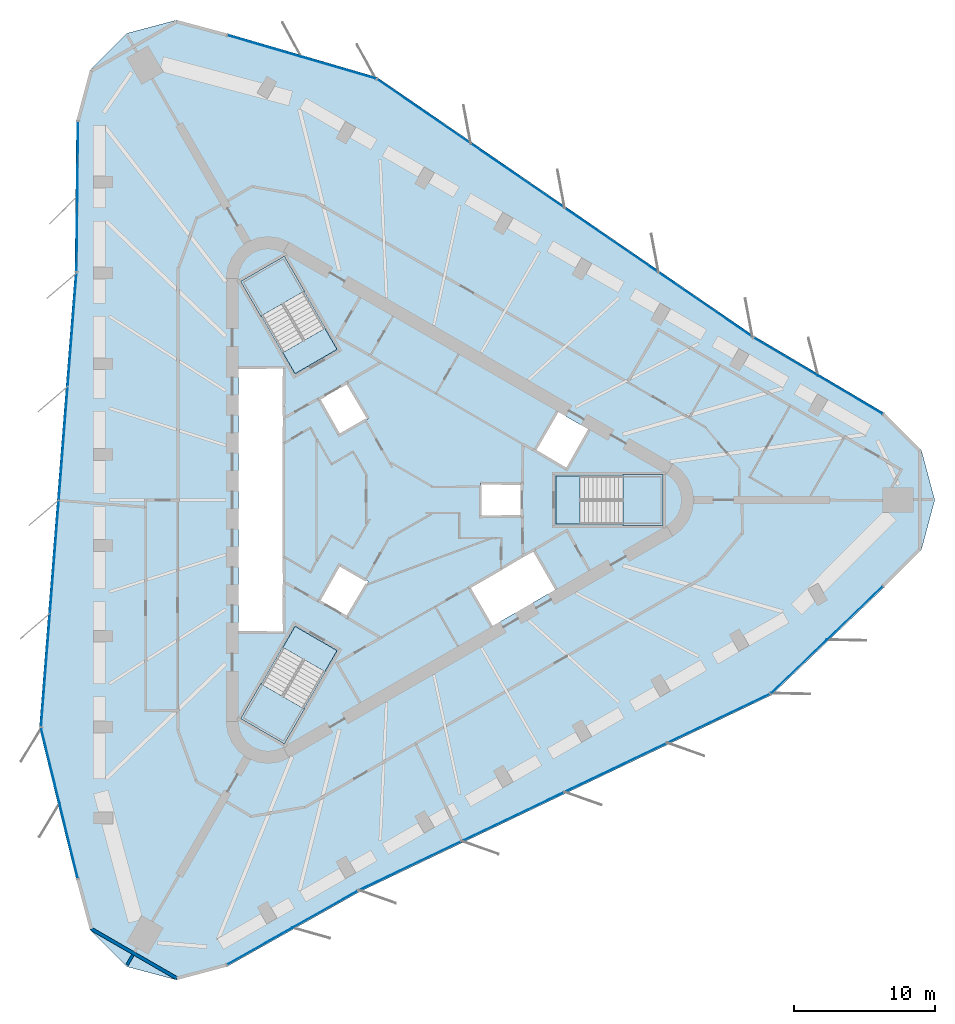
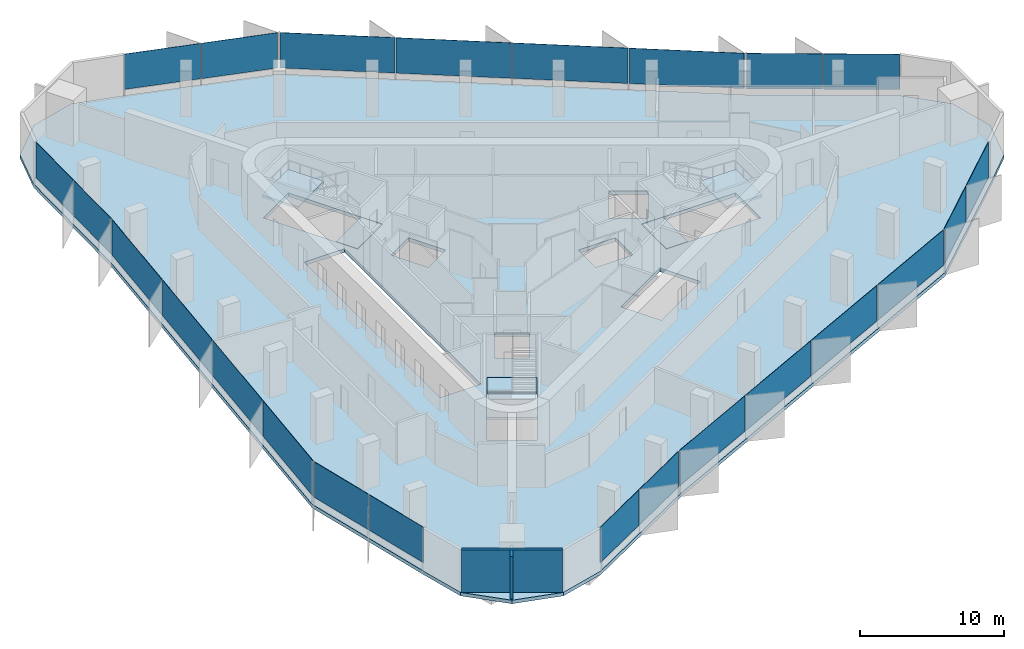
# One storey, part 7 of 14: 24 plates, 7 slabs, 2 walls, 12 elements without a shape of their own.
"""IFC4 building model written with IfcOpenShell, lengths in metres."""

from ifc_helpers import new_model, si_unit, direction, frame, frame_2d, origin, origin_2d, place, context, subcontext, project, spatial, polyline, rectangle, outline, extrude, material, layer, layer_set, type_object, element, aggregate, save


model = new_model("IFC4")

# Units and contexts
model_context = context("Model", 3, precision=1e-05, world=origin(), true_north=direction((0.0, 1.0)))
body_context = subcontext(model_context, "Body", "Model", "MODEL_VIEW")
ifc_project = project(units=[si_unit("LENGTHUNIT", "METRE"), si_unit("AREAUNIT", "SQUARE_METRE"), si_unit("VOLUMEUNIT", "CUBIC_METRE"), si_unit("PLANEANGLEUNIT", "RADIAN"), si_unit("MASSUNIT", "GRAM", prefix="KILO")], contexts=[model_context])

# Site, building, storey
site_placement = place(None, origin())
site = spatial("IfcSite", under=ifc_project, at=site_placement, CompositionType="ELEMENT")
building_placement = place(site_placement, origin())
building = spatial("IfcBuilding", under=site, at=building_placement, Name="Tanit Gate Tower", CompositionType="ELEMENT")
storey_placement = place(building_placement, frame((0.0, 0.0, 298.699951171875)))
storey = spatial("IfcBuildingStorey", under=building, at=storey_placement, Name="L66", CompositionType="ELEMENT", Elevation=298.699951171875)

# Slab
ifc_material_1 = material(Name="Concrete C35/45", Category="concrete")
ifc_layer_1 = layer(ifc_material_1, 0.300048828125)
ifc_layer_set_1 = layer_set([ifc_layer_1], Name="FLOOR SLAB 300 C35/45")
slab_type_1 = type_object("IfcSlabType", Name="FLOOR SLAB 300 C35/45", PredefinedType="FLOOR", material=ifc_layer_set_1)
slab_1_placement = place(storey_placement, frame((0.0, 0.0, -0.300048828125)))
element("IfcSlab", 1, at=slab_1_placement, inside=storey, type_object=slab_type_1, Name="FLOOR SLAB L66", PredefinedType="FLOOR", context=body_context, shape_type="SweptSolid", body=[
    extrude(outline(polyline([(34.760498046875, 6.18359375), (37.3740234375, 3.570068359375), (38.330810546875, 0.0), (37.3740234375, -3.570068359375), (34.760498046875, -6.18359375), (26.7236328125, -13.87255859375), (-2.61328125, -27.887939453125), (-12.025146484375, -33.1953125), (-15.59521484375, -34.152099609375), (-19.165283203125, -33.1953125), (-21.77880859375, -30.581787109375), (-22.735595703125, -27.01171875), (-25.3759765625, -16.20703125), (-22.84521484375, 16.20703125), (-22.735595703125, 27.01171875), (-21.77880859375, 30.581787109375), (-19.165283203125, 33.1953125), (-15.59521484375, 34.152099609375), (-12.025146484375, 33.1953125), (-1.347900390625, 30.07958984375), (25.458251953125, 11.680908203125), (34.760498046875, 6.18359375)]), holes=[polyline([(11.3701171875, 1.72998046875), (18.929931640625, 1.72998046875), (18.929931640625, -1.72998046875), (11.3701171875, -1.72998046875), (11.3701171875, 1.72998046875)]), polyline([(12.158935546875, 2.159912109375), (9.82080078125, 3.510009765625), (11.44580078125, 6.324462890625), (13.783935546875, 4.974609375), (12.158935546875, 2.159912109375)]), polyline([(11.44580078125, -6.324462890625), (6.76904296875, -9.0244140625), (5.14404296875, -6.2099609375), (9.82080078125, -3.510009765625), (11.44580078125, -6.324462890625)]), polyline([(6.0, 1.199951171875), (9.0, 1.199951171875), (9.0, -1.199951171875), (6.0, -1.199951171875), (6.0, 1.199951171875)]), polyline([(-4.039306640625, 4.59619140625), (-5.539306640625, 7.194091796875), (-3.460693359375, 8.394287109375), (-1.960693359375, 5.796142578125), (-4.039306640625, 4.59619140625)]), polyline([(-1.960693359375, -5.796142578125), (-3.460693359375, -8.394287109375), (-5.539306640625, -7.194091796875), (-4.039306640625, -4.59619140625), (-1.960693359375, -5.796142578125)]), polyline([(-7.18310546875, 8.981689453125), (-10.963134765625, 15.52880859375), (-7.966796875, 17.2587890625), (-4.186767578125, 10.711669921875), (-7.18310546875, 8.981689453125)]), polyline([(-4.186767578125, -10.711669921875), (-7.966796875, -17.2587890625), (-10.963134765625, -15.52880859375), (-7.18310546875, -8.981689453125), (-4.186767578125, -10.711669921875)]), polyline([(-11.199951171875, -9.449951171875), (-11.199951171875, 9.449951171875), (-7.949951171875, 9.449951171875), (-7.949951171875, -9.449951171875), (-11.199951171875, -9.449951171875)])]), origin(), (0.0, 0.0, 1.0), 0.300048828125),
])

# Curtain wall, plates
ifc_material_2 = material(Name="Aluminium bronze anodised and glass", Category="aluminium")
curtain_wall_type = type_object("IfcCurtainWallType", Name="Curtain wall typical high", PredefinedType="NOTDEFINED", material=ifc_material_2)
curtain_wall_1_placement = place(storey_placement, origin())
curtain_wall_1 = element("IfcCurtainWall", 2, at=curtain_wall_1_placement, inside=storey, type_object=curtain_wall_type, Name="Curtain wall L66 NE1", PredefinedType="NOTDEFINED")
ifc_material_3 = material(Name="Glass tinted", Category="glass")
ifc_layer_2 = layer(ifc_material_3, 0.028076171875)
ifc_layer_set_2 = layer_set([ifc_layer_2], Name="Glass panel 28 typical high")
plate_type = type_object("IfcPlateType", Name="Glass panel 28 typical high", PredefinedType="CURTAIN_PANEL", material=ifc_layer_set_2)
plate_1_placement = place(storey_placement, frame((32.34619140625, 7.47119140625, 0.60009765625), z_axis=(0.0, 0.0, 1.0), x_axis=(-0.860908042644, 0.508760594103, 0.0)))
plate_1 = element("IfcPlate", 3, at=plate_1_placement, type_object=plate_type, Name="Glass panel L66 NE1.1", PredefinedType="CURTAIN_PANEL", context=body_context, shape_type="SweptSolid", body=[
    extrude(rectangle(XDim=5.277099609375, YDim=0.028076171875, at=origin_2d()), origin(), (0.0, 0.0, 1.0), 3.0),
])
plate_2_placement = place(storey_placement, frame((27.734130859375, 10.196533203125, 0.60009765625), z_axis=(0.0, 0.0, 1.0), x_axis=(-0.860908042644, 0.508760594103, 0.0)))
plate_2 = element("IfcPlate", 4, at=plate_2_placement, type_object=plate_type, Name="Glass panel L66 NE1.2", PredefinedType="CURTAIN_PANEL", context=body_context, shape_type="SweptSolid", body=[
    extrude(rectangle(XDim=5.277099609375, YDim=0.028076171875, at=origin_2d()), origin(), (0.0, 0.0, 1.0), 3.0),
])
aggregate(curtain_wall_1, [plate_1, plate_2])

curtain_wall_2_placement = place(storey_placement, origin())
curtain_wall_2 = element("IfcCurtainWall", 5, at=curtain_wall_2_placement, inside=storey, type_object=curtain_wall_type, Name="Curtain wall L66 NE2", PredefinedType="NOTDEFINED")
plate_3_placement = place(storey_placement, frame((22.019775390625, 13.8955078125, 0.60009765625), z_axis=(0.0, 0.0, 1.0), x_axis=(-0.824478578624, 0.56589316429, 0.0)))
plate_3 = element("IfcPlate", 6, at=plate_3_placement, type_object=plate_type, Name="Glass panel L66 NE2.1", PredefinedType="CURTAIN_PANEL", context=body_context, shape_type="SweptSolid", body=[
    extrude(rectangle(XDim=8.0244140625, YDim=0.028076171875, at=origin_2d()), origin(), (0.0, 0.0, 1.0), 3.0),
])
plate_4_placement = place(storey_placement, frame((15.337890625, 18.481689453125, 0.60009765625), z_axis=(0.0, 0.0, 1.0), x_axis=(-0.824478578624, 0.56589316429, 0.0)))
plate_4 = element("IfcPlate", 7, at=plate_4_placement, type_object=plate_type, Name="Glass panel L66 NE2.2", PredefinedType="CURTAIN_PANEL", context=body_context, shape_type="SweptSolid", body=[
    extrude(rectangle(XDim=8.0244140625, YDim=0.028076171875, at=origin_2d()), origin(), (0.0, 0.0, 1.0), 3.0),
])
plate_5_placement = place(storey_placement, frame((8.656005859375, 23.06787109375, 0.60009765625), z_axis=(0.0, 0.0, 1.0), x_axis=(-0.824478578624, 0.56589316429, 0.0)))
plate_5 = element("IfcPlate", 8, at=plate_5_placement, type_object=plate_type, Name="Glass panel L66 NE2.3", PredefinedType="CURTAIN_PANEL", context=body_context, shape_type="SweptSolid", body=[
    extrude(rectangle(XDim=8.0244140625, YDim=0.028076171875, at=origin_2d()), origin(), (0.0, 0.0, 1.0), 3.0),
])
plate_6_placement = place(storey_placement, frame((1.97412109375, 27.654052734375, 0.60009765625), z_axis=(0.0, 0.0, 1.0), x_axis=(-0.824478578624, 0.56589316429, 0.0)))
plate_6 = element("IfcPlate", 9, at=plate_6_placement, type_object=plate_type, Name="Glass panel L66 NE2.4", PredefinedType="CURTAIN_PANEL", context=body_context, shape_type="SweptSolid", body=[
    extrude(rectangle(XDim=8.0244140625, YDim=0.028076171875, at=origin_2d()), origin(), (0.0, 0.0, 1.0), 3.0),
])
aggregate(curtain_wall_2, [plate_3, plate_4, plate_5, plate_6])

curtain_wall_3_placement = place(storey_placement, origin())
curtain_wall_3 = element("IfcCurtainWall", 10, at=curtain_wall_3_placement, inside=storey, type_object=curtain_wall_type, Name="Curtain wall L66 NE3", PredefinedType="NOTDEFINED")
plate_7_placement = place(storey_placement, frame((-4.08349609375, 30.7529296875, 0.60009765625), z_axis=(0.0, 0.0, 1.0), x_axis=(-0.959963733303, 0.280124313015, 0.0)))
plate_7 = element("IfcPlate", 11, at=plate_7_placement, type_object=plate_type, Name="Glass panel L66 NE3.1", PredefinedType="CURTAIN_PANEL", context=body_context, shape_type="SweptSolid", body=[
    extrude(rectangle(XDim=5.43115234375, YDim=0.028076171875, at=origin_2d()), origin(), (0.0, 0.0, 1.0), 3.0),
])
plate_8_placement = place(storey_placement, frame((-9.373779296875, 32.296630859375, 0.60009765625), z_axis=(0.0, 0.0, 1.0), x_axis=(-0.959963733303, 0.280124313015, 0.0)))
plate_8 = element("IfcPlate", 12, at=plate_8_placement, type_object=plate_type, Name="Glass panel L66 NE3.2", PredefinedType="CURTAIN_PANEL", context=body_context, shape_type="SweptSolid", body=[
    extrude(rectangle(XDim=5.430908203125, YDim=0.028076171875, at=origin_2d()), origin(), (0.0, 0.0, 1.0), 3.0),
])
aggregate(curtain_wall_3, [plate_7, plate_8])

curtain_wall_4_placement = place(storey_placement, origin())
curtain_wall_4 = element("IfcCurtainWall", 13, at=curtain_wall_4_placement, inside=storey, type_object=curtain_wall_type, Name="Curtain wall L66 W1", PredefinedType="NOTDEFINED")
plate_9_placement = place(storey_placement, frame((-22.643310546875, 24.277099609375, 0.60009765625), z_axis=(0.0, 0.0, 1.0), x_axis=(-0.010145577616, -0.999948532303, 0.0)))
plate_9 = element("IfcPlate", 14, at=plate_9_placement, type_object=plate_type, Name="Glass panel L66 W1.1", PredefinedType="CURTAIN_PANEL", context=body_context, shape_type="SweptSolid", body=[
    extrude(rectangle(XDim=5.277099609375, YDim=0.028076171875, at=origin_2d()), origin(), (0.0, 0.0, 1.0), 3.0),
])
plate_10_placement = place(storey_placement, frame((-22.697509765625, 18.920166015625, 0.60009765625), z_axis=(0.0, 0.0, 1.0), x_axis=(-0.010145577616, -0.999948532303, 0.0)))
plate_10 = element("IfcPlate", 15, at=plate_10_placement, type_object=plate_type, Name="Glass panel L66 W1.2", PredefinedType="CURTAIN_PANEL", context=body_context, shape_type="SweptSolid", body=[
    extrude(rectangle(XDim=5.277099609375, YDim=0.028076171875, at=origin_2d()), origin(), (0.0, 0.0, 1.0), 3.0),
])
aggregate(curtain_wall_4, [plate_9, plate_10])

curtain_wall_5_placement = place(storey_placement, origin())
curtain_wall_5 = element("IfcCurtainWall", 16, at=curtain_wall_5_placement, inside=storey, type_object=curtain_wall_type, Name="Curtain wall L66 W2", PredefinedType="NOTDEFINED")
plate_11_placement = place(storey_placement, frame((-23.043701171875, 12.1220703125, 0.60009765625), z_axis=(0.0, 0.0, 1.0), x_axis=(-0.077838566791, -0.996965976109, 0.0)))
plate_11 = element("IfcPlate", 17, at=plate_11_placement, type_object=plate_type, Name="Glass panel L66 W2.1", PredefinedType="CURTAIN_PANEL", context=body_context, shape_type="SweptSolid", body=[
    extrude(rectangle(XDim=8.0244140625, YDim=0.028076171875, at=origin_2d()), origin(), (0.0, 0.0, 1.0), 3.0),
])
plate_12_placement = place(storey_placement, frame((-23.674560546875, 4.042236328125, 0.60009765625), z_axis=(0.0, 0.0, 1.0), x_axis=(-0.077838566791, -0.996965976109, 0.0)))
plate_12 = element("IfcPlate", 18, at=plate_12_placement, type_object=plate_type, Name="Glass panel L66 W2.2", PredefinedType="CURTAIN_PANEL", context=body_context, shape_type="SweptSolid", body=[
    extrude(rectangle(XDim=8.0244140625, YDim=0.028076171875, at=origin_2d()), origin(), (0.0, 0.0, 1.0), 3.0),
])
plate_13_placement = place(storey_placement, frame((-24.305419921875, -4.03759765625, 0.60009765625), z_axis=(0.0, 0.0, 1.0), x_axis=(-0.077838566791, -0.996965976109, 0.0)))
plate_13 = element("IfcPlate", 19, at=plate_13_placement, type_object=plate_type, Name="Glass panel L66 W2.3", PredefinedType="CURTAIN_PANEL", context=body_context, shape_type="SweptSolid", body=[
    extrude(rectangle(XDim=8.0244140625, YDim=0.028076171875, at=origin_2d()), origin(), (0.0, 0.0, 1.0), 3.0),
])
plate_14_placement = place(storey_placement, frame((-24.936279296875, -12.117431640625, 0.60009765625), z_axis=(0.0, 0.0, 1.0), x_axis=(-0.077838566791, -0.996965976109, 0.0)))
plate_14 = element("IfcPlate", 20, at=plate_14_placement, type_object=plate_type, Name="Glass panel L66 W2.4", PredefinedType="CURTAIN_PANEL", context=body_context, shape_type="SweptSolid", body=[
    extrude(rectangle(XDim=8.0244140625, YDim=0.028076171875, at=origin_2d()), origin(), (0.0, 0.0, 1.0), 3.0),
])
aggregate(curtain_wall_5, [plate_11, plate_12, plate_13, plate_14])

curtain_wall_6_placement = place(storey_placement, origin())
curtain_wall_6 = element("IfcCurtainWall", 21, at=curtain_wall_6_placement, inside=storey, type_object=curtain_wall_type, Name="Curtain wall L66 W3", PredefinedType="NOTDEFINED")
plate_15_placement = place(storey_placement, frame((-24.591064453125, -18.912841796875, 0.60009765625), z_axis=(0.0, 0.0, 1.0), x_axis=(0.237387095363, -0.97141513626, 0.0)))
plate_15 = element("IfcPlate", 22, at=plate_15_placement, type_object=plate_type, Name="Glass panel L66 W3.1", PredefinedType="CURTAIN_PANEL", context=body_context, shape_type="SweptSolid", body=[
    extrude(rectangle(XDim=5.43115234375, YDim=0.028076171875, at=origin_2d()), origin(), (0.0, 0.0, 1.0), 3.0),
])
plate_16_placement = place(storey_placement, frame((-23.282958984375, -24.266357421875, 0.60009765625), z_axis=(0.0, 0.0, 1.0), x_axis=(0.237387095363, -0.97141513626, 0.0)))
plate_16 = element("IfcPlate", 23, at=plate_16_placement, type_object=plate_type, Name="Glass panel L66 W3.2", PredefinedType="CURTAIN_PANEL", context=body_context, shape_type="SweptSolid", body=[
    extrude(rectangle(XDim=5.430908203125, YDim=0.028076171875, at=origin_2d()), origin(), (0.0, 0.0, 1.0), 3.0),
])
aggregate(curtain_wall_6, [plate_15, plate_16])

curtain_wall_7_placement = place(storey_placement, origin())
curtain_wall_7 = element("IfcCurtainWall", 24, at=curtain_wall_7_placement, inside=storey, type_object=curtain_wall_type, Name="Curtain wall L66 SE1", PredefinedType="NOTDEFINED")
plate_17_placement = place(storey_placement, frame((-9.702880859375, -31.748046875, 0.60009765625), z_axis=(0.0, 0.0, 1.0), x_axis=(0.871053620259, 0.4911879382, 0.0)))
plate_17 = element("IfcPlate", 25, at=plate_17_placement, type_object=plate_type, Name="Glass panel L66 SE1.1", PredefinedType="CURTAIN_PANEL", context=body_context, shape_type="SweptSolid", body=[
    extrude(rectangle(XDim=5.277099609375, YDim=0.028076171875, at=origin_2d()), origin(), (0.0, 0.0, 1.0), 3.0),
])
plate_18_placement = place(storey_placement, frame((-5.03662109375, -29.11669921875, 0.60009765625), z_axis=(0.0, 0.0, 1.0), x_axis=(0.871053620259, 0.4911879382, 0.0)))
plate_18 = element("IfcPlate", 26, at=plate_18_placement, type_object=plate_type, Name="Glass panel L66 SE1.2", PredefinedType="CURTAIN_PANEL", context=body_context, shape_type="SweptSolid", body=[
    extrude(rectangle(XDim=5.277099609375, YDim=0.028076171875, at=origin_2d()), origin(), (0.0, 0.0, 1.0), 3.0),
])
aggregate(curtain_wall_7, [plate_17, plate_18])

curtain_wall_8_placement = place(storey_placement, origin())
curtain_wall_8 = element("IfcCurtainWall", 27, at=curtain_wall_8_placement, inside=storey, type_object=curtain_wall_type, Name="Curtain wall L66 SE2", PredefinedType="NOTDEFINED")
plate_19_placement = place(storey_placement, frame((1.02392578125, -26.017333984375, 0.60009765625), z_axis=(0.0, 0.0, 1.0), x_axis=(0.902317145415, 0.431072811819, 0.0)))
plate_19 = element("IfcPlate", 28, at=plate_19_placement, type_object=plate_type, Name="Glass panel L66 SE2.1", PredefinedType="CURTAIN_PANEL", context=body_context, shape_type="SweptSolid", body=[
    extrude(rectangle(XDim=8.0244140625, YDim=0.028076171875, at=origin_2d()), origin(), (0.0, 0.0, 1.0), 3.0),
])
plate_20_placement = place(storey_placement, frame((8.336669921875, -22.52392578125, 0.60009765625), z_axis=(0.0, 0.0, 1.0), x_axis=(0.902317145415, 0.431072811819, 0.0)))
plate_20 = element("IfcPlate", 29, at=plate_20_placement, type_object=plate_type, Name="Glass panel L66 SE2.2", PredefinedType="CURTAIN_PANEL", context=body_context, shape_type="SweptSolid", body=[
    extrude(rectangle(XDim=8.0244140625, YDim=0.028076171875, at=origin_2d()), origin(), (0.0, 0.0, 1.0), 3.0),
])
plate_21_placement = place(storey_placement, frame((15.6494140625, -19.0302734375, 0.60009765625), z_axis=(0.0, 0.0, 1.0), x_axis=(0.902317145415, 0.431072811819, 0.0)))
plate_21 = element("IfcPlate", 30, at=plate_21_placement, type_object=plate_type, Name="Glass panel L66 SE2.3", PredefinedType="CURTAIN_PANEL", context=body_context, shape_type="SweptSolid", body=[
    extrude(rectangle(XDim=8.0244140625, YDim=0.028076171875, at=origin_2d()), origin(), (0.0, 0.0, 1.0), 3.0),
])
plate_22_placement = place(storey_placement, frame((22.962158203125, -15.53662109375, 0.60009765625), z_axis=(0.0, 0.0, 1.0), x_axis=(0.902317145415, 0.431072811819, 0.0)))
plate_22 = element("IfcPlate", 31, at=plate_22_placement, type_object=plate_type, Name="Glass panel L66 SE2.4", PredefinedType="CURTAIN_PANEL", context=body_context, shape_type="SweptSolid", body=[
    extrude(rectangle(XDim=8.0244140625, YDim=0.028076171875, at=origin_2d()), origin(), (0.0, 0.0, 1.0), 3.0),
])
aggregate(curtain_wall_8, [plate_19, plate_20, plate_21, plate_22])

curtain_wall_9_placement = place(storey_placement, origin())
curtain_wall_9 = element("IfcCurtainWall", 32, at=curtain_wall_9_placement, inside=storey, type_object=curtain_wall_type, Name="Curtain wall L66 SE3", PredefinedType="NOTDEFINED")
plate_23_placement = place(storey_placement, frame((28.674560546875, -11.840087890625, 0.60009765625), z_axis=(0.0, 0.0, 1.0), x_axis=(0.72257663794, 0.691290823245, 0.0)))
plate_23 = element("IfcPlate", 33, at=plate_23_placement, type_object=plate_type, Name="Glass panel L66 SE3.1", PredefinedType="CURTAIN_PANEL", context=body_context, shape_type="SweptSolid", body=[
    extrude(rectangle(XDim=5.43115234375, YDim=0.028076171875, at=origin_2d()), origin(), (0.0, 0.0, 1.0), 3.0),
])
plate_24_placement = place(storey_placement, frame((32.65673828125, -8.0302734375, 0.60009765625), z_axis=(0.0, 0.0, 1.0), x_axis=(0.72257663794, 0.691290823245, 0.0)))
plate_24 = element("IfcPlate", 34, at=plate_24_placement, type_object=plate_type, Name="Glass panel L66 SE3.2", PredefinedType="CURTAIN_PANEL", context=body_context, shape_type="SweptSolid", body=[
    extrude(rectangle(XDim=5.430908203125, YDim=0.028076171875, at=origin_2d()), origin(), (0.0, 0.0, 1.0), 3.0),
])
aggregate(curtain_wall_9, [plate_23, plate_24])

# Stair, slab
ifc_material_4 = material(Name="Concrete C40/50", Category="concrete")
stair_type = type_object("IfcStairType", Name="INT-STAIR-EXIT", PredefinedType="HALF_TURN_STAIR", material=ifc_material_4)
stair_1_placement = place(storey_placement, origin())
stair_1 = element("IfcStair", 35, at=stair_1_placement, inside=storey, type_object=stair_type, Name="L66 STAIR S1", PredefinedType="HALF_TURN_STAIR")
ifc_material_5 = material(Name="Concrete C40/50", Category="concrete")
ifc_layer_3 = layer(ifc_material_5, 0.199951171875)
ifc_layer_set_3 = layer_set([ifc_layer_3], Name="INT-STAIR-LANDING")
slab_type_2 = type_object("IfcSlabType", Name="INT-STAIR-LANDING", PredefinedType="LANDING", material=ifc_layer_set_3)
slab_2_placement = place(storey_placement, frame((0.0, 0.0, 1.75)))
slab_2 = element("IfcSlab", 36, at=slab_2_placement, type_object=slab_type_2, Name="S1 landing 1", PredefinedType="LANDING", context=body_context, shape_type="SweptSolid", body=[
    extrude(outline(polyline([(16.135986328125, -1.800048828125), (19.0, -1.800048828125), (19.0, 1.800048828125), (16.135986328125, 1.800048828125), (16.135986328125, -1.800048828125)])), origin(), (0.0, 0.0, 1.0), 0.199951171875),
])
aggregate(stair_1, [slab_2])

# Slab
slab_3_placement = place(storey_placement, frame((0.0, 0.0, -0.199951171875)))
element("IfcSlab", 37, at=slab_3_placement, inside=storey, type_object=slab_type_2, Name="S1 floor landing", PredefinedType="LANDING", context=body_context, shape_type="SweptSolid", body=[
    extrude(outline(polyline([(11.3798828125, -1.719970703125), (13.10498046875, -1.719970703125), (13.10498046875, 1.719970703125), (11.3798828125, 1.719970703125), (11.3798828125, -1.719970703125)])), origin(), (0.0, 0.0, 1.0), 0.199951171875),
])

# Stair, slab
stair_2_placement = place(storey_placement, origin())
stair_2 = element("IfcStair", 38, at=stair_2_placement, inside=storey, type_object=stair_type, Name="L66 STAIR S2", PredefinedType="HALF_TURN_STAIR")
slab_4_placement = place(storey_placement, frame((0.0, 0.0, 1.75)))
slab_4 = element("IfcSlab", 39, at=slab_4_placement, type_object=slab_type_2, Name="S2 landing 1", PredefinedType="LANDING", context=body_context, shape_type="SweptSolid", body=[
    extrude(outline(polyline([(-6.5078125, 14.871826171875), (-7.941162109375, 17.3544921875), (-11.058837890625, 15.554443359375), (-9.62548828125, 13.07177734375), (-6.5078125, 14.871826171875)])), origin(), (0.0, 0.0, 1.0), 0.199951171875),
])
aggregate(stair_2, [slab_4])

# Slab
slab_5_placement = place(storey_placement, frame((0.0, 0.0, -0.199951171875)))
element("IfcSlab", 40, at=slab_5_placement, inside=storey, type_object=slab_type_2, Name="S2 floor landing", PredefinedType="LANDING", context=body_context, shape_type="SweptSolid", body=[
    extrude(outline(polyline([(-4.200439453125, 10.71533203125), (-5.0625, 12.20849609375), (-8.04150390625, 10.48828125), (-7.179443359375, 8.995361328125), (-4.200439453125, 10.71533203125)])), origin(), (0.0, 0.0, 1.0), 0.199951171875),
])

# Stair, slab
stair_3_placement = place(storey_placement, origin())
stair_3 = element("IfcStair", 41, at=stair_3_placement, inside=storey, type_object=stair_type, Name="L66 STAIR S3", PredefinedType="HALF_TURN_STAIR")
slab_6_placement = place(storey_placement, frame((0.0, 0.0, 1.75)))
slab_6 = element("IfcSlab", 42, at=slab_6_placement, type_object=slab_type_2, Name="S3 landing 1", PredefinedType="LANDING", context=body_context, shape_type="SweptSolid", body=[
    extrude(outline(polyline([(-9.626953125, -13.07421875), (-11.058837890625, -15.554443359375), (-7.941162109375, -17.3544921875), (-6.509033203125, -14.874267578125), (-9.626953125, -13.07421875)])), origin(), (0.0, 0.0, 1.0), 0.199951171875),
])
aggregate(stair_3, [slab_6])

# Slab
slab_7_placement = place(storey_placement, frame((0.0, 0.0, -0.199951171875)))
element("IfcSlab", 43, at=slab_7_placement, inside=storey, type_object=slab_type_2, Name="S3 floor landing", PredefinedType="LANDING", context=body_context, shape_type="SweptSolid", body=[
    extrude(outline(polyline([(-7.179443359375, -8.995361328125), (-8.0419921875, -10.4892578125), (-5.06298828125, -12.209228515625), (-4.200439453125, -10.71533203125), (-7.179443359375, -8.995361328125)])), origin(), (0.0, 0.0, 1.0), 0.199951171875),
])

# Walls
ifc_material_6 = material(Name="Concrete C30/37 with bronze anodised aluminium cladding", Category="concrete")
ifc_layer_4 = layer(ifc_material_6, 0.239990234375)
ifc_layer_set_4 = layer_set([ifc_layer_4], Name="Facade wall bronze clad 240")
wall_type_1 = type_object("IfcWallType", Name="Facade wall bronze clad 240", PredefinedType="SOLIDWALL", material=ifc_layer_set_4)
wall_1_placement = place(storey_placement, frame((-21.67138671875, -30.519775390625, 0.0), z_axis=(0.0, 0.0, 1.0), x_axis=(0.866026812589, -0.499997559872, 0.0)))
element("IfcWall", 44, at=wall_1_placement, inside=storey, type_object=wall_type_1, Name="Bronze-clad facade wall L66 SW.arc2", PredefinedType="SOLIDWALL", context=body_context, shape_type="SweptSolid", body=[
    extrude(rectangle(XDim=7.01611328125, YDim=0.239990234375, at=frame_2d((3.508056640625, 0.0))), origin(), (0.0, 0.0, 1.0), 3.60009765625),
])
ifc_material_7 = material(Name="Fire-rated gypsum board partition")
ifc_layer_5 = layer(ifc_material_7, 0.199951171875)
ifc_layer_set_5 = layer_set([ifc_layer_5], Name="INT-WALL-COMPARTMENT")
wall_type_2 = type_object("IfcWallType", Name="INT-WALL-COMPARTMENT", PredefinedType="PARTITIONING", material=ifc_layer_set_5)
wall_2_placement = place(storey_placement, frame((-19.125244140625, -33.06591796875, 0.0), z_axis=(0.0, 0.0, 1.0), x_axis=(0.500052144805, 0.865995295874, 0.0)))
element("IfcWall", 45, at=wall_2_placement, inside=storey, type_object=wall_type_2, Name="Wall Compartment W113", PredefinedType="PARTITIONING", context=body_context, shape_type="SweptSolid", body=[
    extrude(rectangle(XDim=0.81201171875, YDim=0.199951171875, at=frame_2d((0.406005859375, 0.0))), origin(), (0.0, 0.0, 1.0), 3.60009765625),
])

save(model, "model.ifc")
